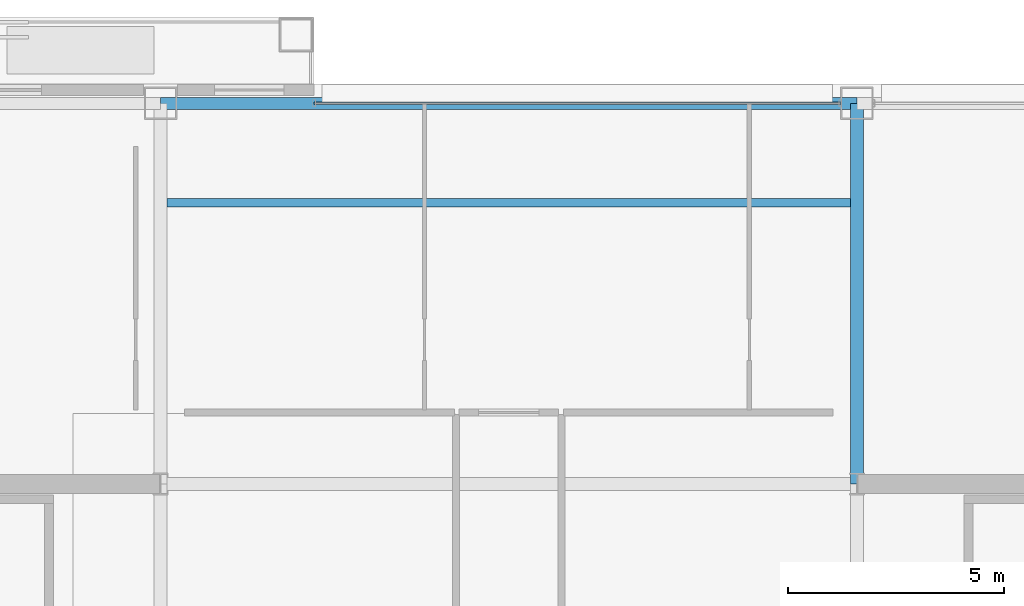
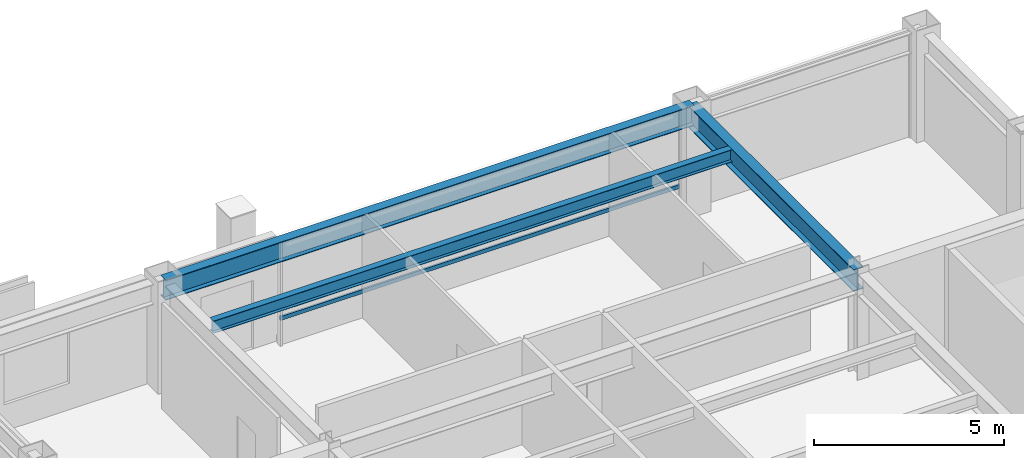
# One storey, part 20 of 28: 3 beams, 1 member, 1 element without a shape of its own.
"""IFC4 building model written with IfcOpenShell, lengths in metres."""

from ifc_helpers import new_model, si_unit, direction, frame, origin, origin_2d, place, context, subcontext, project, spatial, hollow_rectangle, i_section, extrude, material, layer, layer_set, material_profile, profile_set, type_object, element, aggregate, save


model = new_model("IFC4")

# Units and contexts
model_context = context("Model", 3, precision=1e-05, world=origin(), true_north=direction((0.0, 1.0)))
body_context = subcontext(model_context, "Body", "Model", "MODEL_VIEW")
ifc_project = project(units=[si_unit("LENGTHUNIT", "METRE"), si_unit("AREAUNIT", "SQUARE_METRE"), si_unit("VOLUMEUNIT", "CUBIC_METRE"), si_unit("PLANEANGLEUNIT", "RADIAN"), si_unit("MASSUNIT", "GRAM", prefix="KILO")], contexts=[model_context])

# Site, building, storey
site_placement = place(None, origin())
site = spatial("IfcSite", under=ifc_project, at=site_placement, CompositionType="ELEMENT")
building_placement = place(site_placement, origin())
building = spatial("IfcBuilding", under=site, at=building_placement, Name="Brelmoor Portico Tower", CompositionType="ELEMENT")
storey_placement = place(building_placement, frame((0.0, 0.0, 165.89990234375)))
storey = spatial("IfcBuildingStorey", under=building, at=storey_placement, Name="L43", CompositionType="ELEMENT", Elevation=165.89990234375)

# Beams
ifc_material_1 = material(Name="Steel Q355B", Category="steel")
ifc_material_profile_1 = material_profile(ifc_material_1, i_section(OverallWidth=0.199951171875, OverallDepth=0.39990234375, WebThickness=0.008056640625, FlangeThickness=0.012939453125, at=origin_2d()), Name="HN 400x200x8x13")
ifc_profile_set_1 = profile_set([ifc_material_profile_1], Name="Steel Q355B")
beam_type_1 = type_object("IfcBeamType", Name="BM-JS-400", PredefinedType="JOIST", material=ifc_profile_set_1)
beam_1_placement = place(storey_placement, frame((-7.89990234375, 16.25, 3.2001953125), z_axis=(1.0, 0.0, 0.0), x_axis=(0.0, 1.0, 0.0)))
element("IfcBeam", 1, at=beam_1_placement, inside=storey, type_object=beam_type_1, Name="L43 Secondary Composite Joist JS-C04", PredefinedType="JOIST", context=body_context, shape_type="SweptSolid", body=[
    extrude(i_section(OverallWidth=0.199951171875, OverallDepth=0.39990234375, WebThickness=0.008056640625, FlangeThickness=0.012939453125, at=origin_2d()), origin(), (0.0, 0.0, 1.0), 15.7998046875),
])
ifc_material_profile_2 = material_profile(ifc_material_1, i_section(OverallWidth=0.300048828125, OverallDepth=0.699951171875, WebThickness=0.012939453125, FlangeThickness=0.02392578125, at=origin_2d()), Name="HN 700x300x13x24")
ifc_profile_set_2 = profile_set([ifc_material_profile_2], Name="Steel Q355B")
beam_type_2 = type_object("IfcBeamType", Name="BM-PG-700", PredefinedType="BEAM", material=ifc_profile_set_2)
beam_2_placement = place(storey_placement, frame((8.050048828125, 9.75, 3.050048828125), z_axis=(0.0, 1.0, 0.0), x_axis=(-1.0, 0.0, 0.0)))
element("IfcBeam", 2, at=beam_2_placement, inside=storey, type_object=beam_type_2, Name="L43 Primary Floor Girder PG-08", PredefinedType="BEAM", context=body_context, shape_type="SweptSolid", body=[
    extrude(i_section(OverallWidth=0.300048828125, OverallDepth=0.699951171875, WebThickness=0.012939453125, FlangeThickness=0.02392578125, at=origin_2d()), origin(), (0.0, 0.0, 1.0), 8.800048828125),
])
ifc_material_profile_3 = material_profile(ifc_material_1, i_section(OverallWidth=0.280029296875, OverallDepth=0.64990234375, WebThickness=0.012939453125, FlangeThickness=0.02197265625, at=origin_2d()), Name="HN 650x280x13x22")
ifc_profile_set_3 = profile_set([ifc_material_profile_3], Name="Steel Q355B")
beam_type_3 = type_object("IfcBeamType", Name="BM-SP-650", PredefinedType="SPANDREL", material=ifc_profile_set_3)
beam_3_placement = place(storey_placement, frame((-8.050048828125, 18.550048828125, 3.0751953125), z_axis=(1.0, 0.0, 0.0), x_axis=(0.0, 1.0, 0.0)))
element("IfcBeam", 3, at=beam_3_placement, inside=storey, type_object=beam_type_3, Name="L43 Perimeter Spandrel Beam SP-09", PredefinedType="SPANDREL", context=body_context, shape_type="SweptSolid", body=[
    extrude(i_section(OverallWidth=0.280029296875, OverallDepth=0.64990234375, WebThickness=0.012939453125, FlangeThickness=0.02197265625, at=origin_2d()), origin(), (0.0, 0.0, 1.0), 16.10009765625),
])

# Curtain wall, member
ifc_material_2 = material(Name="Anodised Aluminium Alloy 6063-T6", Category="aluminium")
ifc_layer = layer(ifc_material_2, 0.179931640625)
ifc_layer_set = layer_set([ifc_layer], Name="Anodised Aluminium Alloy 6063-T6")
curtain_wall_type = type_object("IfcCurtainWallType", Name="CW-TOWER-Z3", PredefinedType="NOTDEFINED", material=ifc_layer_set)
curtain_wall_placement = place(storey_placement, origin())
curtain_wall = element("IfcCurtainWall", 4, at=curtain_wall_placement, inside=storey, type_object=curtain_wall_type, Name="L43 Curtain Wall CW-L43-2R-1", PredefinedType="NOTDEFINED")
ifc_material_profile_4 = material_profile(ifc_material_2, hollow_rectangle(XDim=0.06005859375, YDim=0.125, WallThickness=0.00341796875, at=origin_2d()), Name="ALU TRANSOM 60x125")
ifc_profile_set_4 = profile_set([ifc_material_profile_4], Name="Anodised Aluminium Alloy 6063-T6")
member_type = type_object("IfcMemberType", Name="MB-CW-TRAN-125", PredefinedType="USERDEFINED", material=ifc_profile_set_4)
member_placement = place(storey_placement, frame((-4.5, 18.550048828125, 0.85009765625), z_axis=(1.0, 0.0, 0.0), x_axis=(0.0, 1.0, 0.0)))
member = element("IfcMember", 5, at=member_placement, type_object=member_type, Name="CW-L43-2R-1 Transom 1-00", ObjectType="TRANSOM", PredefinedType="USERDEFINED", context=body_context, shape_type="SweptSolid", body=[
    extrude(hollow_rectangle(XDim=0.06005859375, YDim=0.125, WallThickness=0.00341796875, at=origin_2d()), origin(), (0.0, 0.0, 1.0), 12.1650390625),
])
aggregate(curtain_wall, [member])

save(model, "model.ifc")
